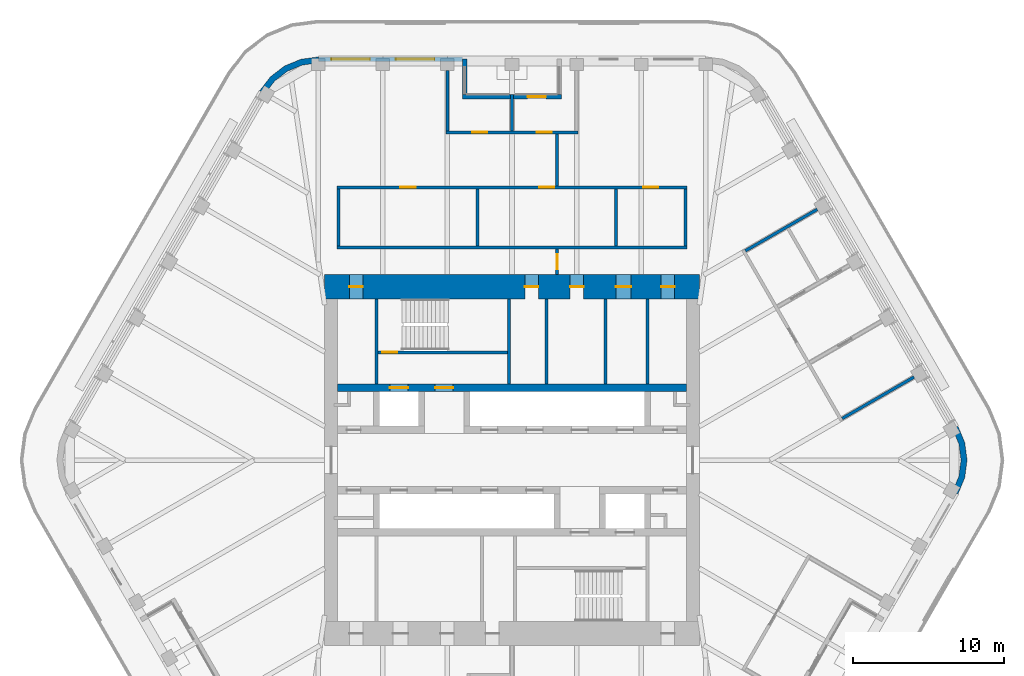
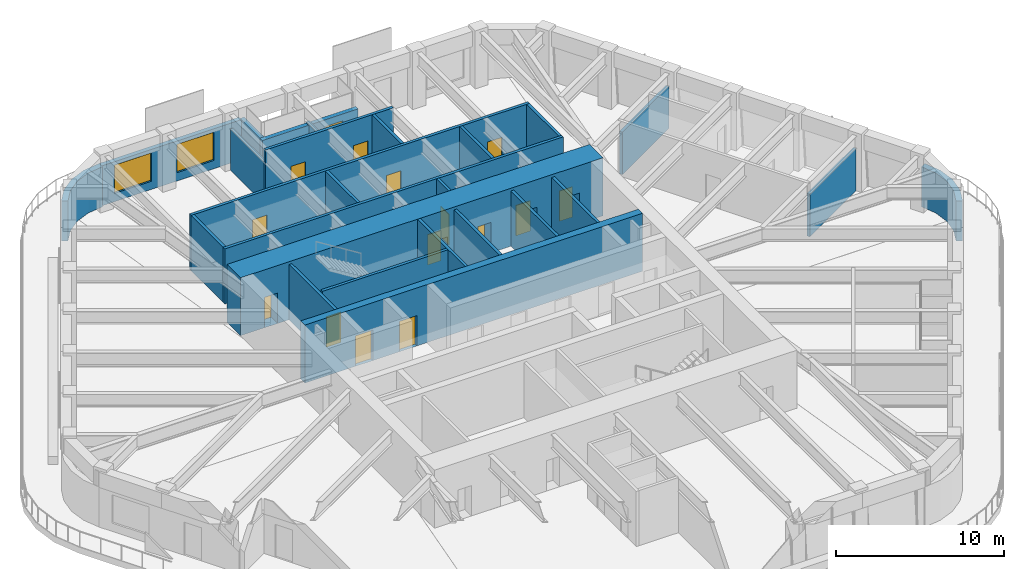
# One storey, part 15 of 19: 26 walls, 15 doors, 2 windows, 17 openings.
"""IFC4 building model written with IfcOpenShell, lengths in metres."""

from ifc_helpers import new_model, si_unit, direction, frame, frame_2d, origin, place, context, subcontext, project, spatial, polyline, rectangle, outline, extrude, material, layer, layer_set, type_object, element, fill, save


model = new_model("IFC4")

# Units and contexts
model_context = context("Model", 3, precision=1e-05, world=origin(), true_north=direction((0.0, 1.0)))
body_context = subcontext(model_context, "Body", "Model", "MODEL_VIEW")
ifc_project = project(units=[si_unit("LENGTHUNIT", "METRE"), si_unit("AREAUNIT", "SQUARE_METRE"), si_unit("VOLUMEUNIT", "CUBIC_METRE"), si_unit("PLANEANGLEUNIT", "RADIAN"), si_unit("MASSUNIT", "GRAM", prefix="KILO")], contexts=[model_context])

# Site, building, storey
site_placement = place(None, origin())
site = spatial("IfcSite", under=ifc_project, at=site_placement, CompositionType="ELEMENT")
building_placement = place(site_placement, origin())
building = spatial("IfcBuilding", under=site, at=building_placement, Name="Tarfa Lantern Tower", CompositionType="ELEMENT")
storey_placement = place(building_placement, frame((0.0, 0.0, 370.300048828125)))
storey = spatial("IfcBuildingStorey", under=building, at=storey_placement, Name="L84", CompositionType="ELEMENT", Elevation=370.300048828125)

# Wall, openings, windows
ifc_material_1 = material(Name="Limestone cladding on blockwork", Category="masonry")
ifc_layer_1 = layer(ifc_material_1, 0.300048828125)
ifc_layer_set_1 = layer_set([ifc_layer_1], Name="EW1 STONE-CLAD WALL 300")
wall_type_1 = type_object("IfcWallType", Name="EW1 STONE-CLAD WALL 300", PredefinedType="SOLIDWALL", material=ifc_layer_set_1)
wall_1_placement = place(storey_placement, frame((-3.281982421875, 26.60009765625, 0.0), z_axis=(0.0, 0.0, 1.0), x_axis=(-1.0, 0.0, 0.0)))
wall_1 = element("IfcWall", 1, at=wall_1_placement, inside=storey, type_object=wall_type_1, Name="Stone wall NB", PredefinedType="SOLIDWALL", context=body_context, shape_type="SweptSolid", body=[
    extrude(rectangle(XDim=9.56396484375, YDim=0.300048828125, at=frame_2d((4.781982421875, 0.0))), origin(), (0.0, 0.0, 1.0), 2.89990234375),
])
opening_1_placement = place(wall_1_placement, frame((1.865966796875, 0.0, 0.60009765625)))
opening_1 = element("IfcOpeningElement", 2, at=opening_1_placement, cuts=wall_1, Name="Opening W17", PredefinedType="OPENING", context=body_context, shape_type="SweptSolid", body=[
    extrude(rectangle(XDim=2.550048828125, YDim=2.050048828125, at=frame_2d((1.27490234375, 1.02490234375))), frame((0.0, 0.159912109375, 0.0), z_axis=(0.0, -1.0, 0.0), x_axis=(1.0, 0.0, 0.0)), (0.0, 0.0, 1.0), 0.320068359375),
])
opening_2_placement = place(wall_1_placement, frame((6.14794921875, 0.0, 0.60009765625)))
opening_2 = element("IfcOpeningElement", 3, at=opening_2_placement, cuts=wall_1, Name="Opening W17", PredefinedType="OPENING", context=body_context, shape_type="SweptSolid", body=[
    extrude(rectangle(XDim=2.550048828125, YDim=2.050048828125, at=frame_2d((1.27490234375, 1.02490234375))), frame((0.0, 0.159912109375, 0.0), z_axis=(0.0, -1.0, 0.0), x_axis=(1.0, 0.0, 0.0)), (0.0, 0.0, 1.0), 0.320068359375),
])
ifc_material_2 = material(Name="Aluminium frame, double glazed", Category="aluminium")
window_type = type_object("IfcWindowType", Name="W17 FULL-HEIGHT GLAZING 2550x2050", PartitioningType="SINGLE_PANEL", PredefinedType="WINDOW", material=ifc_material_2)
window_1_placement = place(opening_1_placement, origin())
window_1 = element("IfcWindow", 4, at=window_1_placement, inside=storey, type_object=window_type, Name="Window NB 1", OverallHeight=2.050048828125, OverallWidth=2.550048828125, PartitioningType="SINGLE_PANEL", PredefinedType="WINDOW", context=body_context, shape_type="SweptSolid", body=[
    extrude(rectangle(XDim=2.550048828125, YDim=2.050048828125, at=frame_2d((1.27490234375, 1.02490234375))), frame((0.0, 0.030029296875, 0.0), z_axis=(0.0, -1.0, 0.0), x_axis=(1.0, 0.0, 0.0)), (0.0, 0.0, 1.0), 0.06005859375),
])
fill(opening_1, window_1)
window_2_placement = place(opening_2_placement, origin())
window_2 = element("IfcWindow", 5, at=window_2_placement, inside=storey, type_object=window_type, Name="Window NB 2", OverallHeight=2.050048828125, OverallWidth=2.550048828125, PartitioningType="SINGLE_PANEL", PredefinedType="WINDOW", context=body_context, shape_type="SweptSolid", body=[
    extrude(rectangle(XDim=2.550048828125, YDim=2.050048828125, at=frame_2d((1.27490234375, 1.02490234375))), frame((0.0, 0.030029296875, 0.0), z_axis=(0.0, -1.0, 0.0), x_axis=(1.0, 0.0, 0.0)), (0.0, 0.0, 1.0), 0.06005859375),
])
fill(opening_2, window_2)

# Wall
wall_2_placement = place(storey_placement, frame((-3.132080078125, 26.60009765625, 0.0), z_axis=(0.0, 0.0, 1.0), x_axis=(0.0, -1.0, 0.0)))
element("IfcWall", 6, at=wall_2_placement, inside=storey, type_object=wall_type_1, Name="Terrace return N 2", PredefinedType="SOLIDWALL", context=body_context, shape_type="SweptSolid", body=[
    extrude(rectangle(XDim=2.35009765625, YDim=0.300048828125, at=frame_2d((1.175048828125, 0.0))), origin(), (0.0, 0.0, 1.0), 2.89990234375),
])

# Wall, opening, door
wall_3_placement = place(storey_placement, frame((3.281982421875, 24.10009765625, 0.0), z_axis=(0.0, 0.0, 1.0), x_axis=(-1.0, 0.0, 0.0)))
wall_3 = element("IfcWall", 7, at=wall_3_placement, inside=storey, type_object=wall_type_1, Name="Stone wall NS", PredefinedType="SOLIDWALL", context=body_context, shape_type="SweptSolid", body=[
    extrude(rectangle(XDim=6.56396484375, YDim=0.300048828125, at=frame_2d((3.281982421875, 0.0))), origin(), (0.0, 0.0, 1.0), 2.89990234375),
])
opening_3_placement = place(wall_3_placement, frame((1.041015625, 0.0, 0.0)))
opening_3 = element("IfcOpeningElement", 8, at=opening_3_placement, cuts=wall_3, Name="Opening D35", PredefinedType="OPENING", context=body_context, shape_type="SweptSolid", body=[
    extrude(rectangle(XDim=1.199951171875, YDim=2.39990234375, at=frame_2d((0.60009765625, 1.199951171875))), frame((0.0, 0.159912109375, 0.0), z_axis=(0.0, -1.0, 0.0), x_axis=(1.0, 0.0, 0.0)), (0.0, 0.0, 1.0), 0.320068359375),
])
ifc_material_3 = material(Name="Aluminium framed glazed door", Category="aluminium")
door_type_1 = type_object("IfcDoorType", Name="BE3 BALCONY DOOR 1200x2400", OperationType="SINGLE_SWING_RIGHT", PredefinedType="DOOR", material=ifc_material_3)
door_1_placement = place(opening_3_placement, origin())
door_1 = element("IfcDoor", 9, at=door_1_placement, inside=storey, type_object=door_type_1, Name="Balcony door NS", OperationType="SINGLE_SWING_LEFT", OverallHeight=2.39990234375, OverallWidth=1.199951171875, PredefinedType="DOOR", context=body_context, shape_type="SweptSolid", body=[
    extrude(rectangle(XDim=1.199951171875, YDim=2.39990234375, at=frame_2d((0.60009765625, 1.199951171875))), frame((0.0, 0.02490234375, 0.0), z_axis=(0.0, -1.0, 0.0), x_axis=(1.0, 0.0, 0.0)), (0.0, 0.0, 1.0), 0.050048828125),
])
fill(opening_3, door_1)

# Walls
ifc_layer_2 = layer(ifc_material_1, 0.39990234375)
ifc_layer_set_2 = layer_set([ifc_layer_2], Name="EW2 CURVED STONE CORNER 400")
wall_type_2 = type_object("IfcWallType", Name="EW2 CURVED STONE CORNER 400", PredefinedType="SOLIDWALL", material=ifc_layer_set_2)
wall_4_placement = place(storey_placement, origin())
element("IfcWall", 10, at=wall_4_placement, inside=storey, type_object=wall_type_2, Name="Stone corner N-NW", PredefinedType="SOLIDWALL", context=body_context, shape_type="SweptSolid", body=[
    extrude(outline(polyline([(-12.845947265625, 26.75), (-14.0107421875, 26.5966796875), (-15.095947265625, 26.147216796875), (-16.028076171875, 25.431884765625), (-16.7431640625, 24.5), (-16.396728515625, 24.300048828125), (-15.7451171875, 25.149169921875), (-14.89599609375, 25.80078125), (-13.9072265625, 26.210205078125), (-12.845947265625, 26.35009765625), (-12.845947265625, 26.75)])), origin(), (0.0, 0.0, 1.0), 2.89990234375),
])
wall_5_placement = place(storey_placement, origin())
element("IfcWall", 11, at=wall_5_placement, inside=storey, type_object=wall_type_2, Name="Stone corner SE-NE", PredefinedType="SOLIDWALL", context=body_context, shape_type="SweptSolid", body=[
    extrude(outline(polyline([(29.589111328125, -2.25), (30.038818359375, -1.164794921875), (30.192138671875, 0.0), (30.038818359375, 1.164794921875), (29.589111328125, 2.25), (29.24267578125, 2.050048828125), (29.65234375, 1.061279296875), (29.7919921875, 0.0), (29.65234375, -1.061279296875), (29.24267578125, -2.050048828125), (29.589111328125, -2.25)])), origin(), (0.0, 0.0, 1.0), 2.89990234375),
])
ifc_material_4 = material(Name="Concrete blockwork", Category="masonry")
ifc_layer_3 = layer(ifc_material_4, 0.199951171875)
ifc_layer_set_3 = layer_set([ifc_layer_3], Name="IW1 BLOCKWORK PARTITION 200 EI 120")
wall_type_3 = type_object("IfcWallType", Name="IW1 BLOCKWORK PARTITION 200 EI 120", PredefinedType="PARTITIONING", material=ifc_layer_set_3)
for number, where, z_axis, x_axis, name in (
    (12, (-9.0, 5.050048828125, 0.0), (0.0, 0.0, 1.0), (0.0, 1.0, 0.0), "Core partition"),
    (13, (9.0, 5.050048828125, 0.0), (0.0, 0.0, 1.0), (0.0, 1.0, 0.0), "Core partition"),
    (14, (2.300048828125, 5.050048828125, 0.0), (0.0, 0.0, 1.0), (0.0, 1.0, 0.0), "Core partition"),
    (15, (6.199951171875, 5.050048828125, 0.0), (0.0, 0.0, 1.0), (0.0, 1.0, 0.0), "Core partition"),
):
    element("IfcWall", number, at=place(storey_placement, frame(where, z_axis=z_axis, x_axis=x_axis)), inside=storey, type_object=wall_type_3, Name=name, PredefinedType="PARTITIONING", context=body_context, shape_type="SweptSolid", body=[
        extrude(rectangle(XDim=5.64990234375, YDim=0.199951171875, at=frame_2d((2.824951171875, 0.0))), origin(), (0.0, 0.0, 1.0), 4.0),
    ])
ifc_material_5 = material(Name="Gypsum board on steel studs", Category="steel")
ifc_layer_4 = layer(ifc_material_5, 0.2099609375)
ifc_layer_set_4 = layer_set([ifc_layer_4], Name="IW2 ACOUSTIC PARTITION 200")
wall_type_4 = type_object("IfcWallType", Name="IW2 ACOUSTIC PARTITION 200", PredefinedType="PARTITIONING", material=ifc_layer_set_4)
wall_6_placement = place(storey_placement, frame((-11.60009765625, 14.10009765625, 0.0), z_axis=(0.0, 0.0, 1.0), x_axis=(1.0, 0.0, 0.0)))
element("IfcWall", 16, at=wall_6_placement, inside=storey, type_object=wall_type_4, Name="Partition", PredefinedType="PARTITIONING", context=body_context, shape_type="SweptSolid", body=[
    extrude(rectangle(XDim=23.2001953125, YDim=0.199951171875, at=frame_2d((11.60009765625, 0.0))), origin(), (0.0, 0.0, 1.0), 4.0),
])

# Wall, openings, doors
wall_7_placement = place(storey_placement, frame((-11.60009765625, 18.10009765625, 0.0), z_axis=(0.0, 0.0, 1.0), x_axis=(1.0, 0.0, 0.0)))
wall_7 = element("IfcWall", 17, at=wall_7_placement, inside=storey, type_object=wall_type_4, Name="Partition", PredefinedType="PARTITIONING", context=body_context, shape_type="SweptSolid", body=[
    extrude(rectangle(XDim=23.2001953125, YDim=0.199951171875, at=frame_2d((11.60009765625, 0.0))), origin(), (0.0, 0.0, 1.0), 4.0),
])
opening_4_placement = place(wall_7_placement, frame((4.199951171875, 0.0, 0.0)))
opening_4 = element("IfcOpeningElement", 18, at=opening_4_placement, cuts=wall_7, Name="Opening D28", PredefinedType="OPENING", context=body_context, shape_type="SweptSolid", body=[
    extrude(rectangle(XDim=1.0, YDim=2.199951171875, at=frame_2d((0.5, 1.10009765625))), frame((0.0, 0.10986328125, 0.0), z_axis=(0.0, -1.0, 0.0), x_axis=(1.0, 0.0, 0.0)), (0.0, 0.0, 1.0), 0.219970703125),
])
opening_5_placement = place(wall_7_placement, frame((13.39990234375, 0.0, 0.0)))
opening_5 = element("IfcOpeningElement", 19, at=opening_5_placement, cuts=wall_7, Name="Opening D29", PredefinedType="OPENING", context=body_context, shape_type="SweptSolid", body=[
    extrude(rectangle(XDim=1.0, YDim=2.199951171875, at=frame_2d((0.5, 1.10009765625))), frame((0.0, 0.10986328125, 0.0), z_axis=(0.0, -1.0, 0.0), x_axis=(1.0, 0.0, 0.0)), (0.0, 0.0, 1.0), 0.219970703125),
])
opening_6_placement = place(wall_7_placement, frame((20.300048828125, 0.0, 0.0)))
opening_6 = element("IfcOpeningElement", 20, at=opening_6_placement, cuts=wall_7, Name="Opening D30", PredefinedType="OPENING", context=body_context, shape_type="SweptSolid", body=[
    extrude(rectangle(XDim=1.0, YDim=2.199951171875, at=frame_2d((0.5, 1.10009765625))), frame((0.0, 0.10986328125, 0.0), z_axis=(0.0, -1.0, 0.0), x_axis=(1.0, 0.0, 0.0)), (0.0, 0.0, 1.0), 0.219970703125),
])
ifc_material_6 = material(Name="Timber door", Category="wood")
door_type_2 = type_object("IfcDoorType", Name="DR1 ROOM DOOR 1000x2200", OperationType="SINGLE_SWING_LEFT", PredefinedType="DOOR", material=ifc_material_6)
door_2_placement = place(opening_4_placement, frame((1.0, 0.0, 0.0), z_axis=(0.0, 0.0, 1.0), x_axis=(-1.0, 0.0, 0.0)))
door_2 = element("IfcDoor", 21, at=door_2_placement, inside=storey, type_object=door_type_2, Name="Chief of staff's office door", OperationType="SINGLE_SWING_LEFT", OverallHeight=2.199951171875, OverallWidth=1.0, PredefinedType="DOOR", context=body_context, shape_type="SweptSolid", body=[
    extrude(rectangle(XDim=1.0, YDim=2.199951171875, at=frame_2d((0.5, 1.10009765625))), frame((0.0, 0.02490234375, 0.0), z_axis=(0.0, -1.0, 0.0), x_axis=(1.0, 0.0, 0.0)), (0.0, 0.0, 1.0), 0.050048828125),
])
fill(opening_4, door_2)
door_3_placement = place(opening_5_placement, frame((1.0, 0.0, 0.0), z_axis=(0.0, 0.0, 1.0), x_axis=(-1.0, 0.0, 0.0)))
door_3 = element("IfcDoor", 22, at=door_3_placement, inside=storey, type_object=door_type_2, Name="Meeting room door", OperationType="SINGLE_SWING_RIGHT", OverallHeight=2.199951171875, OverallWidth=1.0, PredefinedType="DOOR", context=body_context, shape_type="SweptSolid", body=[
    extrude(rectangle(XDim=1.0, YDim=2.199951171875, at=frame_2d((0.5, 1.10009765625))), frame((0.0, 0.02490234375, 0.0), z_axis=(0.0, -1.0, 0.0), x_axis=(1.0, 0.0, 0.0)), (0.0, 0.0, 1.0), 0.050048828125),
])
fill(opening_5, door_3)
door_4_placement = place(opening_6_placement, frame((1.0, 0.0, 0.0), z_axis=(0.0, 0.0, 1.0), x_axis=(-1.0, 0.0, 0.0)))
door_4 = element("IfcDoor", 23, at=door_4_placement, inside=storey, type_object=door_type_2, Name="Pantry door", OperationType="SINGLE_SWING_RIGHT", OverallHeight=2.199951171875, OverallWidth=1.0, PredefinedType="DOOR", context=body_context, shape_type="SweptSolid", body=[
    extrude(rectangle(XDim=1.0, YDim=2.199951171875, at=frame_2d((0.5, 1.10009765625))), frame((0.0, 0.02490234375, 0.0), z_axis=(0.0, -1.0, 0.0), x_axis=(1.0, 0.0, 0.0)), (0.0, 0.0, 1.0), 0.050048828125),
])
fill(opening_6, door_4)

# Walls
for number, where, z_axis, x_axis, name in (
    (24, (-11.5, 14.199951171875, 0.0), (0.0, 0.0, 1.0), (0.0, 1.0, 0.0), "Partition"),
    (25, (-2.300048828125, 14.199951171875, 0.0), (0.0, 0.0, 1.0), (0.0, 1.0, 0.0), "Partition"),
    (26, (6.89990234375, 14.199951171875, 0.0), (0.0, 0.0, 1.0), (0.0, 1.0, 0.0), "Partition"),
    (27, (11.5, 14.199951171875, 0.0), (0.0, 0.0, 1.0), (0.0, 1.0, 0.0), "Partition"),
):
    element("IfcWall", number, at=place(storey_placement, frame(where, z_axis=z_axis, x_axis=x_axis)), inside=storey, type_object=wall_type_4, Name=name, PredefinedType="PARTITIONING", context=body_context, shape_type="SweptSolid", body=[
        extrude(rectangle(XDim=3.800048828125, YDim=0.199951171875, at=frame_2d((1.89990234375, 0.0))), origin(), (0.0, 0.0, 1.0), 4.0),
    ])

# Wall, openings, doors
wall_8_placement = place(storey_placement, frame((4.382080078125, 21.75, 0.0), z_axis=(0.0, 0.0, 1.0), x_axis=(-1.0, 0.0, 0.0)))
wall_8 = element("IfcWall", 28, at=wall_8_placement, inside=storey, type_object=wall_type_4, Name="Partition", PredefinedType="PARTITIONING", context=body_context, shape_type="SweptSolid", body=[
    extrude(rectangle(XDim=8.76416015625, YDim=0.199951171875, at=frame_2d((4.382080078125, 0.0))), origin(), (0.0, 0.0, 1.0), 4.0),
])
opening_7_placement = place(wall_8_placement, frame((1.740966796875, 0.0, 0.0)))
opening_7 = element("IfcOpeningElement", 29, at=opening_7_placement, cuts=wall_8, Name="Opening D21", PredefinedType="OPENING", context=body_context, shape_type="SweptSolid", body=[
    extrude(rectangle(XDim=1.0, YDim=2.199951171875, at=frame_2d((0.5, 1.10009765625))), frame((0.0, 0.10986328125, 0.0), z_axis=(0.0, -1.0, 0.0), x_axis=(1.0, 0.0, 0.0)), (0.0, 0.0, 1.0), 0.219970703125),
])
opening_8_placement = place(wall_8_placement, frame((6.02294921875, 0.0, 0.0)))
opening_8 = element("IfcOpeningElement", 30, at=opening_8_placement, cuts=wall_8, Name="Opening D22", PredefinedType="OPENING", context=body_context, shape_type="SweptSolid", body=[
    extrude(rectangle(XDim=1.0, YDim=2.199951171875, at=frame_2d((0.5, 1.10009765625))), frame((0.0, 0.10986328125, 0.0), z_axis=(0.0, -1.0, 0.0), x_axis=(1.0, 0.0, 0.0)), (0.0, 0.0, 1.0), 0.219970703125),
])
door_5_placement = place(opening_7_placement, frame((1.0, 0.0, 0.0), z_axis=(0.0, 0.0, 1.0), x_axis=(-1.0, 0.0, 0.0)))
door_5 = element("IfcDoor", 31, at=door_5_placement, inside=storey, type_object=door_type_2, Name="Advisor's office door", OperationType="SINGLE_SWING_LEFT", OverallHeight=2.199951171875, OverallWidth=1.0, PredefinedType="DOOR", context=body_context, shape_type="SweptSolid", body=[
    extrude(rectangle(XDim=1.0, YDim=2.199951171875, at=frame_2d((0.5, 1.10009765625))), frame((0.0, 0.02490234375, 0.0), z_axis=(0.0, -1.0, 0.0), x_axis=(1.0, 0.0, 0.0)), (0.0, 0.0, 1.0), 0.050048828125),
])
fill(opening_7, door_5)
door_6_placement = place(opening_8_placement, frame((1.0, 0.0, 0.0), z_axis=(0.0, 0.0, 1.0), x_axis=(-1.0, 0.0, 0.0)))
door_6 = element("IfcDoor", 32, at=door_6_placement, inside=storey, type_object=door_type_2, Name="Advisor's office door", OperationType="SINGLE_SWING_RIGHT", OverallHeight=2.199951171875, OverallWidth=1.0, PredefinedType="DOOR", context=body_context, shape_type="SweptSolid", body=[
    extrude(rectangle(XDim=1.0, YDim=2.199951171875, at=frame_2d((0.5, 1.10009765625))), frame((0.0, 0.02490234375, 0.0), z_axis=(0.0, -1.0, 0.0), x_axis=(1.0, 0.0, 0.0)), (0.0, 0.0, 1.0), 0.050048828125),
])
fill(opening_8, door_6)

# Walls
wall_9_placement = place(storey_placement, frame((0.0, 21.85009765625, 0.0), z_axis=(0.0, 0.0, 1.0), x_axis=(0.0, 1.0, 0.0)))
element("IfcWall", 33, at=wall_9_placement, inside=storey, type_object=wall_type_4, Name="Partition", PredefinedType="PARTITIONING", context=body_context, shape_type="SweptSolid", body=[
    extrude(rectangle(XDim=2.40087890625, YDim=0.199951171875, at=frame_2d((1.200439453125, 0.0))), origin(), (0.0, 0.0, 1.0), 2.991943359375),
])
wall_10_placement = place(storey_placement, frame((-4.281982421875, 21.85009765625, 0.0), z_axis=(0.0, 0.0, 1.0), x_axis=(0.0, 1.0, 0.0)))
element("IfcWall", 34, at=wall_10_placement, inside=storey, type_object=wall_type_4, Name="Partition", PredefinedType="PARTITIONING", context=body_context, shape_type="SweptSolid", body=[
    extrude(rectangle(XDim=4.0, YDim=0.199951171875, at=frame_2d((2.0, 0.0))), origin(), (0.0, 0.0, 1.0), 2.991943359375),
])
for number, where, z_axis, x_axis, name in (
    (35, (21.905517578125, 2.75830078125, 0.0), (0.0, 0.0, 1.0), (0.866027397988, 0.499996545922, 0.0), "Partition"),
    (36, (15.482666015625, 13.88330078125, 0.0), (0.0, 0.0, 1.0), (0.866027397988, 0.499996545922, 0.0), "Partition"),
):
    element("IfcWall", number, at=place(storey_placement, frame(where, z_axis=z_axis, x_axis=x_axis)), inside=storey, type_object=wall_type_4, Name=name, PredefinedType="PARTITIONING", context=body_context, shape_type="SweptSolid", body=[
        extrude(rectangle(XDim=5.5, YDim=0.199951171875, at=frame_2d((2.75, 0.0))), origin(), (0.0, 0.0, 1.0), 3.08154296875),
    ])

# Wall, opening, door
wall_11_placement = place(storey_placement, frame((3.0, 12.300048828125, 0.0), z_axis=(0.0, 0.0, 1.0), x_axis=(0.0, 1.0, 0.0)))
wall_11 = element("IfcWall", 37, at=wall_11_placement, inside=storey, type_object=wall_type_4, Name="Partition", PredefinedType="PARTITIONING", context=body_context, shape_type="SweptSolid", body=[
    extrude(rectangle(XDim=1.699951171875, YDim=0.199951171875, at=frame_2d((0.85009765625, 0.0))), origin(), (0.0, 0.0, 1.0), 4.0),
])
opening_9_placement = place(wall_11_placement, frame((0.35009765625, 0.0, 0.0)))
opening_9 = element("IfcOpeningElement", 38, at=opening_9_placement, cuts=wall_11, Name="Opening D33", PredefinedType="OPENING", context=body_context, shape_type="SweptSolid", body=[
    extrude(rectangle(XDim=1.0, YDim=2.199951171875, at=frame_2d((0.5, 1.10009765625))), frame((0.0, 0.10986328125, 0.0), z_axis=(0.0, -1.0, 0.0), x_axis=(1.0, 0.0, 0.0)), (0.0, 0.0, 1.0), 0.219970703125),
])
door_7_placement = place(opening_9_placement, frame((1.0, 0.0, 0.0), z_axis=(0.0, 0.0, 1.0), x_axis=(-1.0, 0.0, 0.0)))
door_7 = element("IfcDoor", 39, at=door_7_placement, inside=storey, type_object=door_type_2, Name="Zone door", OperationType="SINGLE_SWING_RIGHT", OverallHeight=2.199951171875, OverallWidth=1.0, PredefinedType="DOOR", context=body_context, shape_type="SweptSolid", body=[
    extrude(rectangle(XDim=1.0, YDim=2.199951171875, at=frame_2d((0.5, 1.10009765625))), frame((0.0, 0.02490234375, 0.0), z_axis=(0.0, -1.0, 0.0), x_axis=(1.0, 0.0, 0.0)), (0.0, 0.0, 1.0), 0.050048828125),
])
fill(opening_9, door_7)

# Walls
wall_12_placement = place(storey_placement, frame((3.0, 18.199951171875, 0.0), z_axis=(0.0, 0.0, 1.0), x_axis=(0.0, 1.0, 0.0)))
element("IfcWall", 40, at=wall_12_placement, inside=storey, type_object=wall_type_4, Name="Partition", PredefinedType="PARTITIONING", context=body_context, shape_type="SweptSolid", body=[
    extrude(rectangle(XDim=3.449951171875, YDim=0.199951171875, at=frame_2d((1.72509765625, 0.0))), origin(), (0.0, 0.0, 1.0), 4.0),
])
ifc_material_7 = material(Name="Concrete C80/95", Category="concrete")
ifc_layer_5 = layer(ifc_material_7, 0.199951171875)
ifc_layer_set_5 = layer_set([ifc_layer_5], Name="SW12 CORE WALL 200")
wall_type_5 = type_object("IfcWallType", Name="SW12 CORE WALL 200", PredefinedType="SHEAR", material=ifc_layer_set_5)
wall_13_placement = place(storey_placement, frame((-0.199951171875, 5.050048828125, 0.0), z_axis=(0.0, 0.0, 1.0), x_axis=(0.0, 1.0, 0.0)))
element("IfcWall", 41, at=wall_13_placement, inside=storey, type_object=wall_type_5, Name="Core wall stair shaft N", PredefinedType="SHEAR", context=body_context, shape_type="SweptSolid", body=[
    extrude(rectangle(XDim=5.64990234375, YDim=0.199951171875, at=frame_2d((2.824951171875, 0.0))), origin(), (0.0, 0.0, 1.0), 4.199951171875),
])

# Wall, opening, door
wall_14_placement = place(storey_placement, frame((-8.89990234375, 7.14990234375, 0.0), z_axis=(0.0, 0.0, 1.0), x_axis=(1.0, 0.0, 0.0)))
wall_14 = element("IfcWall", 42, at=wall_14_placement, inside=storey, type_object=wall_type_5, Name="Core wall stair partition N", PredefinedType="SHEAR", context=body_context, shape_type="SweptSolid", body=[
    extrude(rectangle(XDim=8.599853515625, YDim=0.199951171875, at=frame_2d((4.2998046875, 0.0))), origin(), (0.0, 0.0, 1.0), 4.199951171875),
])
opening_10_placement = place(wall_14_placement, frame((0.300048828125, 0.0, 0.0)))
opening_10 = element("IfcOpeningElement", 43, at=opening_10_placement, cuts=wall_14, Name="Opening D19", PredefinedType="OPENING", context=body_context, shape_type="SweptSolid", body=[
    extrude(rectangle(XDim=1.0, YDim=2.199951171875, at=frame_2d((0.5, 1.10009765625))), frame((0.0, 0.10986328125, 0.0), z_axis=(0.0, -1.0, 0.0), x_axis=(1.0, 0.0, 0.0)), (0.0, 0.0, 1.0), 0.219970703125),
])
ifc_material_8 = material(Name="Steel fire door", Category="steel")
door_type_3 = type_object("IfcDoorType", Name="DF2 STAIR DOOR 1000x2200", OperationType="SINGLE_SWING_LEFT", PredefinedType="DOOR", material=ifc_material_8)
door_8_placement = place(opening_10_placement, origin())
door_8 = element("IfcDoor", 44, at=door_8_placement, inside=storey, type_object=door_type_3, Name="Stair door", OperationType="SINGLE_SWING_RIGHT", OverallHeight=2.199951171875, OverallWidth=1.0, PredefinedType="DOOR", context=body_context, shape_type="SweptSolid", body=[
    extrude(rectangle(XDim=1.0, YDim=2.199951171875, at=frame_2d((0.5, 1.10009765625))), frame((0.0, 0.02490234375, 0.0), z_axis=(0.0, -1.0, 0.0), x_axis=(1.0, 0.0, 0.0)), (0.0, 0.0, 1.0), 0.050048828125),
])
fill(opening_10, door_8)

# Wall, openings, doors
ifc_layer_6 = layer(ifc_material_7, 0.5)
ifc_layer_set_6 = layer_set([ifc_layer_6], Name="SW5 CORE WALL 500")
wall_type_6 = type_object("IfcWallType", Name="SW5 CORE WALL 500", PredefinedType="SHEAR", material=ifc_layer_set_6)
wall_15_placement = place(storey_placement, frame((-11.574951171875, 4.800048828125, 0.0), z_axis=(0.0, 0.0, 1.0), x_axis=(1.0, 0.0, 0.0)))
wall_15 = element("IfcWall", 45, at=wall_15_placement, inside=storey, type_object=wall_type_6, Name="Core wall rear N", PredefinedType="SHEAR", context=body_context, shape_type="SweptSolid", body=[
    extrude(rectangle(XDim=23.14990234375, YDim=0.5, at=frame_2d((11.574951171875, 0.0))), origin(), (0.0, 0.0, 1.0), 4.199951171875),
])
opening_11_placement = place(wall_15_placement, frame((6.47509765625, 0.0, 0.0)))
opening_11 = element("IfcOpeningElement", 46, at=opening_11_placement, cuts=wall_15, Name="Opening D05", PredefinedType="OPENING", context=body_context, shape_type="SweptSolid", body=[
    extrude(rectangle(XDim=1.199951171875, YDim=2.199951171875, at=frame_2d((0.60009765625, 1.10009765625))), frame((0.0, 0.260009765625, 0.0), z_axis=(0.0, -1.0, 0.0), x_axis=(1.0, 0.0, 0.0)), (0.0, 0.0, 1.0), 0.52001953125),
])
opening_12_placement = place(wall_15_placement, frame((3.47509765625, 0.0, 0.0)))
opening_12 = element("IfcOpeningElement", 47, at=opening_12_placement, cuts=wall_15, Name="Opening LD01", PredefinedType="OPENING", context=body_context, shape_type="SweptSolid", body=[
    extrude(rectangle(XDim=1.199951171875, YDim=2.199951171875, at=frame_2d((0.60009765625, 1.10009765625))), frame((0.0, 0.260009765625, 0.0), z_axis=(0.0, -1.0, 0.0), x_axis=(1.0, 0.0, 0.0)), (0.0, 0.0, 1.0), 0.52001953125),
])
door_type_4 = type_object("IfcDoorType", Name="DF1 FIREFIGHTING LOBBY DOOR 1200x2200", OperationType="SINGLE_SWING_LEFT", PredefinedType="DOOR", material=ifc_material_8)
door_9_placement = place(opening_11_placement, origin())
door_9 = element("IfcDoor", 48, at=door_9_placement, inside=storey, type_object=door_type_4, Name="Firefighting lobby door", OperationType="SINGLE_SWING_LEFT", OverallHeight=2.199951171875, OverallWidth=1.199951171875, PredefinedType="DOOR", context=body_context, shape_type="SweptSolid", body=[
    extrude(rectangle(XDim=1.199951171875, YDim=2.199951171875, at=frame_2d((0.60009765625, 1.10009765625))), frame((0.0, 0.02490234375, 0.0), z_axis=(0.0, -1.0, 0.0), x_axis=(1.0, 0.0, 0.0)), (0.0, 0.0, 1.0), 0.050048828125),
])
fill(opening_11, door_9)
ifc_material_9 = material(Name="Stainless steel lift door", Category="steel")
door_type_5 = type_object("IfcDoorType", Name="LD1 LIFT LANDING DOOR 1200x2200", OperationType="SLIDING_TO_LEFT", PredefinedType="DOOR", material=ifc_material_9)
door_10_placement = place(opening_12_placement, origin())
door_10 = element("IfcDoor", 49, at=door_10_placement, inside=storey, type_object=door_type_5, Name="Landing door FL1", OperationType="SLIDING_TO_LEFT", OverallHeight=2.199951171875, OverallWidth=1.199951171875, PredefinedType="DOOR", context=body_context, shape_type="SweptSolid", body=[
    extrude(rectangle(XDim=1.199951171875, YDim=2.199951171875, at=frame_2d((0.60009765625, 1.10009765625))), frame((0.0, 0.02490234375, 0.0), z_axis=(0.0, -1.0, 0.0), x_axis=(1.0, 0.0, 0.0)), (0.0, 0.0, 1.0), 0.050048828125),
])
fill(opening_12, door_10)

ifc_layer_7 = layer(ifc_material_7, 1.60009765625)
ifc_layer_set_7 = layer_set([ifc_layer_7], Name="SW7 CORE WALL 1600")
wall_type_7 = type_object("IfcWallType", Name="SW7 CORE WALL 1600", PredefinedType="SHEAR", material=ifc_layer_set_7)
wall_16_placement = place(storey_placement, frame((-12.425048828125, 11.5, 0.0), z_axis=(0.0, 0.0, 1.0), x_axis=(1.0, 0.0, 0.0)))
wall_16 = element("IfcWall", 50, at=wall_16_placement, inside=storey, type_object=wall_type_7, Name="Core wall N", PredefinedType="SHEAR", context=body_context, shape_type="SweptSolid", body=[
    extrude(rectangle(XDim=24.85009765625, YDim=1.60009765625, at=frame_2d((12.425048828125, 0.0))), origin(), (0.0, 0.0, 1.0), 4.199951171875),
])
opening_13_placement = place(wall_16_placement, frame((13.27490234375, 0.0, 0.0)))
opening_13 = element("IfcOpeningElement", 51, at=opening_13_placement, cuts=wall_16, Name="Opening D13", PredefinedType="OPENING", context=body_context, shape_type="SweptSolid", body=[
    extrude(rectangle(XDim=0.89990234375, YDim=2.199951171875, at=frame_2d((0.449951171875, 1.10009765625))), frame((0.0, 0.81005859375, 0.0), z_axis=(0.0, -1.0, 0.0), x_axis=(1.0, 0.0, 0.0)), (0.0, 0.0, 1.0), 1.6201171875),
])
opening_14_placement = place(wall_16_placement, frame((16.27490234375, 0.0, 0.0)))
opening_14 = element("IfcOpeningElement", 52, at=opening_14_placement, cuts=wall_16, Name="Opening D15", PredefinedType="OPENING", context=body_context, shape_type="SweptSolid", body=[
    extrude(rectangle(XDim=0.89990234375, YDim=2.199951171875, at=frame_2d((0.449951171875, 1.10009765625))), frame((0.0, 0.81005859375, 0.0), z_axis=(0.0, -1.0, 0.0), x_axis=(1.0, 0.0, 0.0)), (0.0, 0.0, 1.0), 1.6201171875),
])
opening_15_placement = place(wall_16_placement, frame((19.324951171875, 0.0, 0.0)))
opening_15 = element("IfcOpeningElement", 53, at=opening_15_placement, cuts=wall_16, Name="Opening D17", PredefinedType="OPENING", context=body_context, shape_type="SweptSolid", body=[
    extrude(rectangle(XDim=1.0, YDim=2.199951171875, at=frame_2d((0.5, 1.10009765625))), frame((0.0, 0.81005859375, 0.0), z_axis=(0.0, -1.0, 0.0), x_axis=(1.0, 0.0, 0.0)), (0.0, 0.0, 1.0), 1.6201171875),
])
opening_16_placement = place(wall_16_placement, frame((1.637451171875, 0.0, 0.0)))
opening_16 = element("IfcOpeningElement", 54, at=opening_16_placement, cuts=wall_16, Name="Opening D03", PredefinedType="OPENING", context=body_context, shape_type="SweptSolid", body=[
    extrude(rectangle(XDim=0.89990234375, YDim=2.199951171875, at=frame_2d((0.449951171875, 1.10009765625))), frame((0.0, 0.81005859375, 0.0), z_axis=(0.0, -1.0, 0.0), x_axis=(1.0, 0.0, 0.0)), (0.0, 0.0, 1.0), 1.6201171875),
])
opening_17_placement = place(wall_16_placement, frame((22.3125, 0.0, 0.0)))
opening_17 = element("IfcOpeningElement", 55, at=opening_17_placement, cuts=wall_16, Name="Opening D01", PredefinedType="OPENING", context=body_context, shape_type="SweptSolid", body=[
    extrude(rectangle(XDim=0.89990234375, YDim=2.199951171875, at=frame_2d((0.449951171875, 1.10009765625))), frame((0.0, 0.81005859375, 0.0), z_axis=(0.0, -1.0, 0.0), x_axis=(1.0, 0.0, 0.0)), (0.0, 0.0, 1.0), 1.6201171875),
])
door_type_6 = type_object("IfcDoorType", Name="DF3 CORE ROOM DOOR 900x2200", OperationType="SINGLE_SWING_LEFT", PredefinedType="DOOR", material=ifc_material_8)
door_11_placement = place(opening_13_placement, frame((0.89990234375, 0.0, 0.0), z_axis=(0.0, 0.0, 1.0), x_axis=(-1.0, 0.0, 0.0)))
door_11 = element("IfcDoor", 56, at=door_11_placement, inside=storey, type_object=door_type_6, Name="Core door", OperationType="SINGLE_SWING_RIGHT", OverallHeight=2.199951171875, OverallWidth=0.89990234375, PredefinedType="DOOR", context=body_context, shape_type="SweptSolid", body=[
    extrude(rectangle(XDim=0.89990234375, YDim=2.199951171875, at=frame_2d((0.449951171875, 1.10009765625))), frame((0.0, 0.02490234375, 0.0), z_axis=(0.0, -1.0, 0.0), x_axis=(1.0, 0.0, 0.0)), (0.0, 0.0, 1.0), 0.050048828125),
])
fill(opening_13, door_11)
door_12_placement = place(opening_14_placement, frame((0.89990234375, 0.0, 0.0), z_axis=(0.0, 0.0, 1.0), x_axis=(-1.0, 0.0, 0.0)))
door_12 = element("IfcDoor", 57, at=door_12_placement, inside=storey, type_object=door_type_6, Name="Core door", OperationType="SINGLE_SWING_RIGHT", OverallHeight=2.199951171875, OverallWidth=0.89990234375, PredefinedType="DOOR", context=body_context, shape_type="SweptSolid", body=[
    extrude(rectangle(XDim=0.89990234375, YDim=2.199951171875, at=frame_2d((0.449951171875, 1.10009765625))), frame((0.0, 0.02490234375, 0.0), z_axis=(0.0, -1.0, 0.0), x_axis=(1.0, 0.0, 0.0)), (0.0, 0.0, 1.0), 0.050048828125),
])
fill(opening_14, door_12)
door_type_7 = type_object("IfcDoorType", Name="DF4 CORE ROOM DOOR 1000x2200", OperationType="SINGLE_SWING_LEFT", PredefinedType="DOOR", material=ifc_material_8)
door_13_placement = place(opening_15_placement, frame((1.0, 0.0, 0.0), z_axis=(0.0, 0.0, 1.0), x_axis=(-1.0, 0.0, 0.0)))
door_13 = element("IfcDoor", 58, at=door_13_placement, inside=storey, type_object=door_type_7, Name="Core door", OperationType="SINGLE_SWING_LEFT", OverallHeight=2.199951171875, OverallWidth=1.0, PredefinedType="DOOR", context=body_context, shape_type="SweptSolid", body=[
    extrude(rectangle(XDim=1.0, YDim=2.199951171875, at=frame_2d((0.5, 1.10009765625))), frame((0.0, 0.02490234375, 0.0), z_axis=(0.0, -1.0, 0.0), x_axis=(1.0, 0.0, 0.0)), (0.0, 0.0, 1.0), 0.050048828125),
])
fill(opening_15, door_13)
door_type_8 = type_object("IfcDoorType", Name="DF5 RISER DOOR 900x2200", OperationType="SINGLE_SWING_LEFT", PredefinedType="DOOR", material=ifc_material_8)
door_14_placement = place(opening_16_placement, frame((0.89990234375, 0.0, 0.0), z_axis=(0.0, 0.0, 1.0), x_axis=(-1.0, 0.0, 0.0)))
door_14 = element("IfcDoor", 59, at=door_14_placement, inside=storey, type_object=door_type_8, Name="Riser door", OperationType="SINGLE_SWING_LEFT", OverallHeight=2.199951171875, OverallWidth=0.89990234375, PredefinedType="DOOR", context=body_context, shape_type="SweptSolid", body=[
    extrude(rectangle(XDim=0.89990234375, YDim=2.199951171875, at=frame_2d((0.449951171875, 1.10009765625))), frame((0.0, 0.02490234375, 0.0), z_axis=(0.0, -1.0, 0.0), x_axis=(1.0, 0.0, 0.0)), (0.0, 0.0, 1.0), 0.050048828125),
])
fill(opening_16, door_14)
door_15_placement = place(opening_17_placement, frame((0.89990234375, 0.0, 0.0), z_axis=(0.0, 0.0, 1.0), x_axis=(-1.0, 0.0, 0.0)))
door_15 = element("IfcDoor", 60, at=door_15_placement, inside=storey, type_object=door_type_8, Name="Riser door", OperationType="SINGLE_SWING_RIGHT", OverallHeight=2.199951171875, OverallWidth=0.89990234375, PredefinedType="DOOR", context=body_context, shape_type="SweptSolid", body=[
    extrude(rectangle(XDim=0.89990234375, YDim=2.199951171875, at=frame_2d((0.449951171875, 1.10009765625))), frame((0.0, 0.02490234375, 0.0), z_axis=(0.0, -1.0, 0.0), x_axis=(1.0, 0.0, 0.0)), (0.0, 0.0, 1.0), 0.050048828125),
])
fill(opening_17, door_15)

save(model, "model.ifc")
